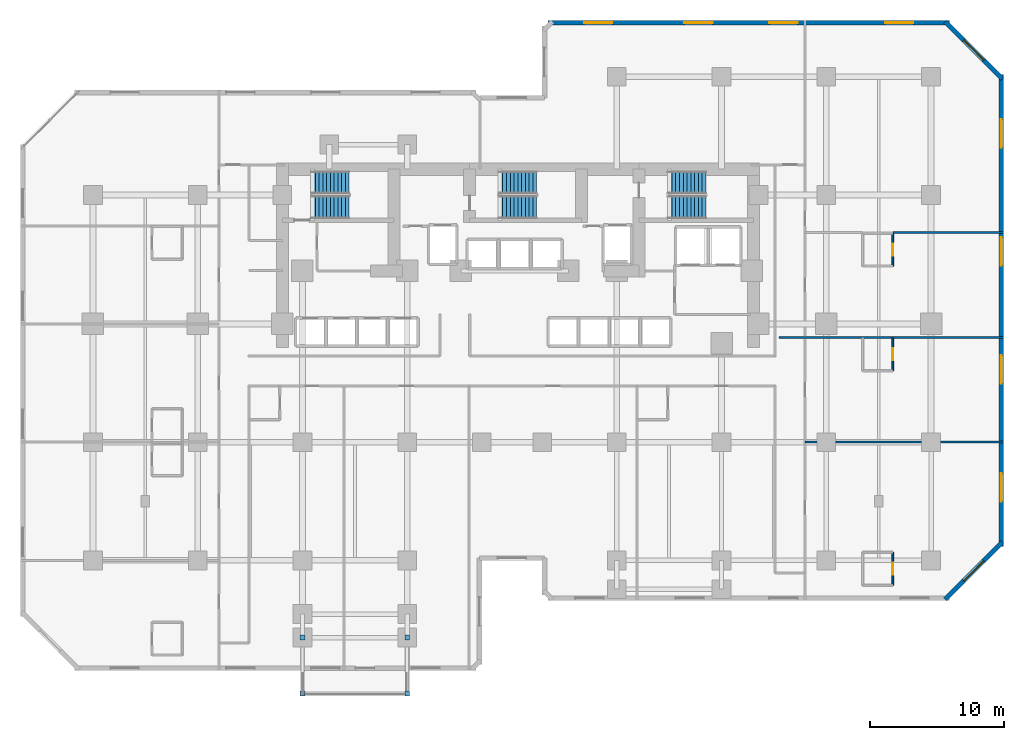
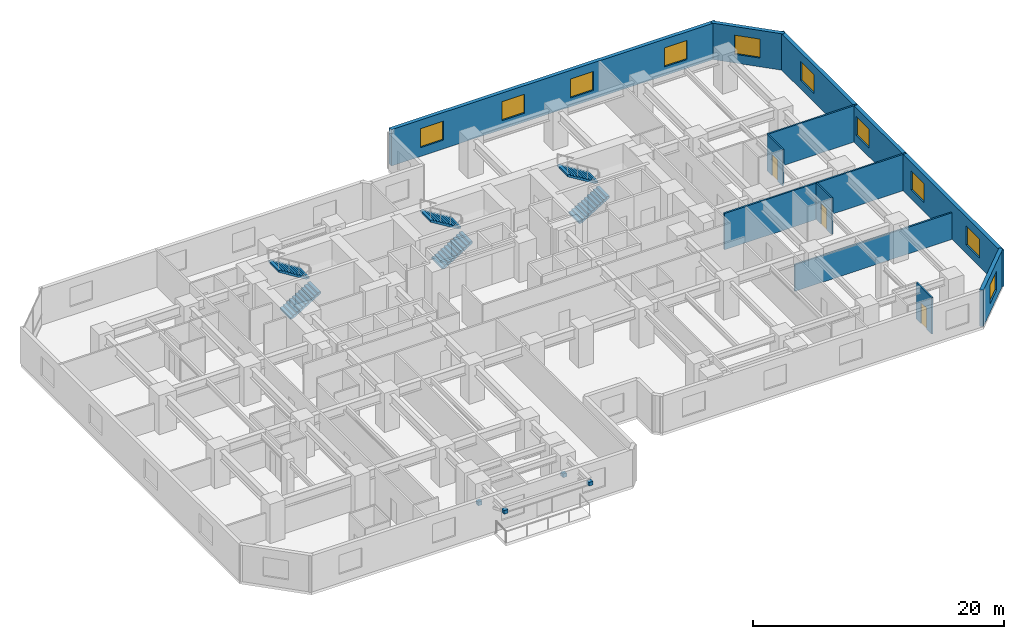
# One storey, part 9 of 11: 10 walls, 10 windows, 6 stair flights, 4 discrete accessories, 3 doors, 13 openings, 3 elements without a shape of their own.
"""IFC4 building model written with IfcOpenShell, lengths in metres."""

from ifc_helpers import new_model, si_unit, direction, frame, frame_2d, origin, origin_2d, place, context, subcontext, project, spatial, polyline, rectangle, outline, extrude, material, layer, layer_set, type_object, element, fill, aggregate, save


model = new_model("IFC4")

# Units and contexts
model_context = context("Model", 3, precision=1e-05, world=origin(), true_north=direction((0.0, 1.0)))
body_context = subcontext(model_context, "Body", "Model", "MODEL_VIEW")
ifc_project = project(units=[si_unit("LENGTHUNIT", "METRE"), si_unit("AREAUNIT", "SQUARE_METRE"), si_unit("VOLUMEUNIT", "CUBIC_METRE"), si_unit("PLANEANGLEUNIT", "RADIAN"), si_unit("MASSUNIT", "GRAM", prefix="KILO")], contexts=[model_context])

# Site, building, storey
site_placement = place(None, origin())
site = spatial("IfcSite", under=ifc_project, at=site_placement, CompositionType="ELEMENT")
building_placement = place(site_placement, origin())
building = spatial("IfcBuilding", under=site, at=building_placement, Name="Kestravale Grand Hotel", CompositionType="ELEMENT")
storey_placement = place(building_placement, frame((0.0, 0.0, 45.0)))
storey = spatial("IfcBuildingStorey", under=building, at=storey_placement, Name="L10", CompositionType="ELEMENT", Elevation=45.0)

# Wall, opening, window
ifc_material_1 = material(Name="Precast concrete f'c 45 MPa", Category="concrete")
ifc_layer_1 = layer(ifc_material_1, 0.340087890625)
ifc_layer_set_1 = layer_set([ifc_layer_1], Name="EW-PREC-340")
wall_type_1 = type_object("IfcWallType", Name="EW-PREC-340", PredefinedType="SOLIDWALL", material=ifc_layer_set_1)
wall_1_placement = place(storey_placement, frame((71.25146484375, 8.2919921875, 0.0), z_axis=(0.0, 0.0, 1.0), x_axis=(0.707106781187, 0.707106781187, 0.0)))
wall_1 = element("IfcWall", 1, at=wall_1_placement, inside=storey, type_object=wall_type_1, Name="L10 fluted precast facade wall 8", PredefinedType="SOLIDWALL", context=body_context, shape_type="SweptSolid", body=[
    extrude(rectangle(XDim=6.019775390625, YDim=0.340087890625, at=frame_2d((3.009765625, 0.0))), origin(), (0.0, 0.0, 1.0), 3.5400390625),
])
opening_1_placement = place(wall_1_placement, frame((1.9599609375, 0.0, 0.85009765625)))
opening_1 = element("IfcOpeningElement", 2, at=opening_1_placement, cuts=wall_1, Name="Opening W-GUEST-2100", PredefinedType="OPENING", context=body_context, shape_type="SweptSolid", body=[
    extrude(rectangle(XDim=2.10009765625, YDim=1.85009765625, at=frame_2d((1.050048828125, 0.925048828125))), frame((0.0, 0.179931640625, 0.0), z_axis=(0.0, -1.0, 0.0), x_axis=(1.0, 0.0, 0.0)), (0.0, 0.0, 1.0), 0.360107421875),
])
ifc_material_2 = material(Name="Insulated low-E double glazing in aluminium frame", Category="aluminium")
window_type = type_object("IfcWindowType", Name="W-GUEST-2100", PartitioningType="DOUBLE_PANEL_VERTICAL", PredefinedType="WINDOW", material=ifc_material_2)
window_1_placement = place(opening_1_placement, origin())
window_1 = element("IfcWindow", 3, at=window_1_placement, inside=storey, type_object=window_type, Name="L10 exterior window 8.1", OverallHeight=1.85009765625, OverallWidth=2.10009765625, PartitioningType="SINGLE_PANEL", PredefinedType="WINDOW", context=body_context, shape_type="SweptSolid", body=[
    extrude(rectangle(XDim=2.10009765625, YDim=1.85009765625, at=frame_2d((1.050048828125, 0.925048828125))), frame((0.0, 0.030029296875, 0.0), z_axis=(0.0, -1.0, 0.0), x_axis=(1.0, 0.0, 0.0)), (0.0, 0.0, 1.0), 0.06005859375),
])
fill(opening_1, window_1)

# Wall, openings, windows
wall_2_placement = place(storey_placement, frame((75.429931640625, 12.22998046875, 0.0), z_axis=(0.0, 0.0, 1.0), x_axis=(0.0, 1.0, 0.0)))
wall_2 = element("IfcWall", 4, at=wall_2_placement, inside=storey, type_object=wall_type_1, Name="L10 fluted precast facade wall 9", PredefinedType="SOLIDWALL", context=body_context, shape_type="SweptSolid", body=[
    extrude(rectangle(XDim=35.14013671875, YDim=0.340087890625, at=frame_2d((17.570068359375, 0.0))), origin(), (0.0, 0.0, 1.0), 3.5400390625),
])
opening_2_placement = place(wall_2_placement, frame((3.342529296875, 0.0, 0.85009765625)))
opening_2 = element("IfcOpeningElement", 5, at=opening_2_placement, cuts=wall_2, Name="Opening W-GUEST-2100", PredefinedType="OPENING", context=body_context, shape_type="SweptSolid", body=[
    extrude(rectangle(XDim=2.10009765625, YDim=1.85009765625, at=frame_2d((1.050048828125, 0.925048828125))), frame((0.0, 0.179931640625, 0.0), z_axis=(0.0, -1.0, 0.0), x_axis=(1.0, 0.0, 0.0)), (0.0, 0.0, 1.0), 0.360107421875),
])
opening_3_placement = place(wall_2_placement, frame((12.12744140625, 0.0, 0.85009765625)))
opening_3 = element("IfcOpeningElement", 6, at=opening_3_placement, cuts=wall_2, Name="Opening W-GUEST-2100", PredefinedType="OPENING", context=body_context, shape_type="SweptSolid", body=[
    extrude(rectangle(XDim=2.10009765625, YDim=1.85009765625, at=frame_2d((1.050048828125, 0.925048828125))), frame((0.0, 0.179931640625, 0.0), z_axis=(0.0, -1.0, 0.0), x_axis=(1.0, 0.0, 0.0)), (0.0, 0.0, 1.0), 0.360107421875),
])
opening_4_placement = place(wall_2_placement, frame((20.91259765625, 0.0, 0.85009765625)))
opening_4 = element("IfcOpeningElement", 7, at=opening_4_placement, cuts=wall_2, Name="Opening W-GUEST-2100", PredefinedType="OPENING", context=body_context, shape_type="SweptSolid", body=[
    extrude(rectangle(XDim=2.10009765625, YDim=1.85009765625, at=frame_2d((1.050048828125, 0.925048828125))), frame((0.0, 0.179931640625, 0.0), z_axis=(0.0, -1.0, 0.0), x_axis=(1.0, 0.0, 0.0)), (0.0, 0.0, 1.0), 0.360107421875),
])
opening_5_placement = place(wall_2_placement, frame((29.697509765625, 0.0, 0.85009765625)))
opening_5 = element("IfcOpeningElement", 8, at=opening_5_placement, cuts=wall_2, Name="Opening W-GUEST-2100", PredefinedType="OPENING", context=body_context, shape_type="SweptSolid", body=[
    extrude(rectangle(XDim=2.10009765625, YDim=1.85009765625, at=frame_2d((1.050048828125, 0.925048828125))), frame((0.0, 0.179931640625, 0.0), z_axis=(0.0, -1.0, 0.0), x_axis=(1.0, 0.0, 0.0)), (0.0, 0.0, 1.0), 0.360107421875),
])
window_2_placement = place(opening_2_placement, origin())
window_2 = element("IfcWindow", 9, at=window_2_placement, inside=storey, type_object=window_type, Name="L10 exterior window 9.1", OverallHeight=1.85009765625, OverallWidth=2.10009765625, PartitioningType="SINGLE_PANEL", PredefinedType="WINDOW", context=body_context, shape_type="SweptSolid", body=[
    extrude(rectangle(XDim=2.10009765625, YDim=1.85009765625, at=frame_2d((1.050048828125, 0.925048828125))), frame((0.0, 0.030029296875, 0.0), z_axis=(0.0, -1.0, 0.0), x_axis=(1.0, 0.0, 0.0)), (0.0, 0.0, 1.0), 0.06005859375),
])
fill(opening_2, window_2)
window_3_placement = place(opening_3_placement, origin())
window_3 = element("IfcWindow", 10, at=window_3_placement, inside=storey, type_object=window_type, Name="L10 exterior window 9.2", OverallHeight=1.85009765625, OverallWidth=2.10009765625, PartitioningType="SINGLE_PANEL", PredefinedType="WINDOW", context=body_context, shape_type="SweptSolid", body=[
    extrude(rectangle(XDim=2.10009765625, YDim=1.85009765625, at=frame_2d((1.050048828125, 0.925048828125))), frame((0.0, 0.030029296875, 0.0), z_axis=(0.0, -1.0, 0.0), x_axis=(1.0, 0.0, 0.0)), (0.0, 0.0, 1.0), 0.06005859375),
])
fill(opening_3, window_3)
window_4_placement = place(opening_4_placement, origin())
window_4 = element("IfcWindow", 11, at=window_4_placement, inside=storey, type_object=window_type, Name="L10 exterior window 9.3", OverallHeight=1.85009765625, OverallWidth=2.10009765625, PartitioningType="SINGLE_PANEL", PredefinedType="WINDOW", context=body_context, shape_type="SweptSolid", body=[
    extrude(rectangle(XDim=2.10009765625, YDim=1.85009765625, at=frame_2d((1.050048828125, 0.925048828125))), frame((0.0, 0.030029296875, 0.0), z_axis=(0.0, -1.0, 0.0), x_axis=(1.0, 0.0, 0.0)), (0.0, 0.0, 1.0), 0.06005859375),
])
fill(opening_4, window_4)
window_5_placement = place(opening_5_placement, origin())
window_5 = element("IfcWindow", 12, at=window_5_placement, inside=storey, type_object=window_type, Name="L10 exterior window 9.4", OverallHeight=1.85009765625, OverallWidth=2.10009765625, PartitioningType="SINGLE_PANEL", PredefinedType="WINDOW", context=body_context, shape_type="SweptSolid", body=[
    extrude(rectangle(XDim=2.10009765625, YDim=1.85009765625, at=frame_2d((1.050048828125, 0.925048828125))), frame((0.0, 0.030029296875, 0.0), z_axis=(0.0, -1.0, 0.0), x_axis=(1.0, 0.0, 0.0)), (0.0, 0.0, 1.0), 0.06005859375),
])
fill(opening_5, window_5)

# Wall, opening, window
wall_3_placement = place(storey_placement, frame((75.508056640625, 47.051513671875, 0.0), z_axis=(0.0, 0.0, 1.0), x_axis=(-0.707106781187, 0.707106781187, 0.0)))
wall_3 = element("IfcWall", 13, at=wall_3_placement, inside=storey, type_object=wall_type_1, Name="L10 fluted precast facade wall 10", PredefinedType="SOLIDWALL", context=body_context, shape_type="SweptSolid", body=[
    extrude(rectangle(XDim=6.019775390625, YDim=0.340087890625, at=frame_2d((3.009765625, 0.0))), origin(), (0.0, 0.0, 1.0), 3.5400390625),
])
opening_6_placement = place(wall_3_placement, frame((1.9599609375, 0.0, 0.85009765625)))
opening_6 = element("IfcOpeningElement", 14, at=opening_6_placement, cuts=wall_3, Name="Opening W-GUEST-2100", PredefinedType="OPENING", context=body_context, shape_type="SweptSolid", body=[
    extrude(rectangle(XDim=2.10009765625, YDim=1.85009765625, at=frame_2d((1.050048828125, 0.925048828125))), frame((0.0, 0.179931640625, 0.0), z_axis=(0.0, -1.0, 0.0), x_axis=(1.0, 0.0, 0.0)), (0.0, 0.0, 1.0), 0.360107421875),
])
window_6_placement = place(opening_6_placement, origin())
window_6 = element("IfcWindow", 15, at=window_6_placement, inside=storey, type_object=window_type, Name="L10 exterior window 10.1", OverallHeight=1.85009765625, OverallWidth=2.10009765625, PartitioningType="SINGLE_PANEL", PredefinedType="WINDOW", context=body_context, shape_type="SweptSolid", body=[
    extrude(rectangle(XDim=2.10009765625, YDim=1.85009765625, at=frame_2d((1.050048828125, 0.925048828125))), frame((0.0, 0.030029296875, 0.0), z_axis=(0.0, -1.0, 0.0), x_axis=(1.0, 0.0, 0.0)), (0.0, 0.0, 1.0), 0.06005859375),
])
fill(opening_6, window_6)

# Wall, openings, windows
wall_4_placement = place(storey_placement, frame((71.570068359375, 51.22998046875, 0.0), z_axis=(0.0, 0.0, 1.0), x_axis=(-1.0, 0.0, 0.0)))
wall_4 = element("IfcWall", 16, at=wall_4_placement, inside=storey, type_object=wall_type_1, Name="L10 fluted precast facade wall 11", PredefinedType="SOLIDWALL", context=body_context, shape_type="SweptSolid", body=[
    extrude(rectangle(XDim=29.89013671875, YDim=0.340087890625, at=frame_2d((14.945068359375, 0.0))), origin(), (0.0, 0.0, 1.0), 3.5400390625),
])
opening_7_placement = place(wall_4_placement, frame((2.686279296875, 0.0, 0.85009765625)))
opening_7 = element("IfcOpeningElement", 17, at=opening_7_placement, cuts=wall_4, Name="Opening W-GUEST-2100", PredefinedType="OPENING", context=body_context, shape_type="SweptSolid", body=[
    extrude(rectangle(XDim=2.10009765625, YDim=1.85009765625, at=frame_2d((1.050048828125, 0.925048828125))), frame((0.0, 0.179931640625, 0.0), z_axis=(0.0, -1.0, 0.0), x_axis=(1.0, 0.0, 0.0)), (0.0, 0.0, 1.0), 0.360107421875),
])
opening_8_placement = place(wall_4_placement, frame((11.30859375, 0.0, 0.85009765625)))
opening_8 = element("IfcOpeningElement", 18, at=opening_8_placement, cuts=wall_4, Name="Opening W-GUEST-2100", PredefinedType="OPENING", context=body_context, shape_type="SweptSolid", body=[
    extrude(rectangle(XDim=2.10009765625, YDim=1.85009765625, at=frame_2d((1.050048828125, 0.925048828125))), frame((0.0, 0.179931640625, 0.0), z_axis=(0.0, -1.0, 0.0), x_axis=(1.0, 0.0, 0.0)), (0.0, 0.0, 1.0), 0.360107421875),
])
opening_9_placement = place(wall_4_placement, frame((17.631103515625, 0.0, 0.85009765625)))
opening_9 = element("IfcOpeningElement", 19, at=opening_9_placement, cuts=wall_4, Name="Opening W-GUEST-2100", PredefinedType="OPENING", context=body_context, shape_type="SweptSolid", body=[
    extrude(rectangle(XDim=2.10009765625, YDim=1.85009765625, at=frame_2d((1.050048828125, 0.925048828125))), frame((0.0, 0.179931640625, 0.0), z_axis=(0.0, -1.0, 0.0), x_axis=(1.0, 0.0, 0.0)), (0.0, 0.0, 1.0), 0.360107421875),
])
opening_10_placement = place(wall_4_placement, frame((25.103759765625, 0.0, 0.85009765625)))
opening_10 = element("IfcOpeningElement", 20, at=opening_10_placement, cuts=wall_4, Name="Opening W-GUEST-2100", PredefinedType="OPENING", context=body_context, shape_type="SweptSolid", body=[
    extrude(rectangle(XDim=2.10009765625, YDim=1.85009765625, at=frame_2d((1.050048828125, 0.925048828125))), frame((0.0, 0.179931640625, 0.0), z_axis=(0.0, -1.0, 0.0), x_axis=(1.0, 0.0, 0.0)), (0.0, 0.0, 1.0), 0.360107421875),
])
window_7_placement = place(opening_7_placement, origin())
window_7 = element("IfcWindow", 21, at=window_7_placement, inside=storey, type_object=window_type, Name="L10 exterior window 11.1", OverallHeight=1.85009765625, OverallWidth=2.10009765625, PartitioningType="SINGLE_PANEL", PredefinedType="WINDOW", context=body_context, shape_type="SweptSolid", body=[
    extrude(rectangle(XDim=2.10009765625, YDim=1.85009765625, at=frame_2d((1.050048828125, 0.925048828125))), frame((0.0, 0.030029296875, 0.0), z_axis=(0.0, -1.0, 0.0), x_axis=(1.0, 0.0, 0.0)), (0.0, 0.0, 1.0), 0.06005859375),
])
fill(opening_7, window_7)
window_8_placement = place(opening_8_placement, origin())
window_8 = element("IfcWindow", 22, at=window_8_placement, inside=storey, type_object=window_type, Name="L10 exterior window 11.2", OverallHeight=1.85009765625, OverallWidth=2.10009765625, PartitioningType="SINGLE_PANEL", PredefinedType="WINDOW", context=body_context, shape_type="SweptSolid", body=[
    extrude(rectangle(XDim=2.10009765625, YDim=1.85009765625, at=frame_2d((1.050048828125, 0.925048828125))), frame((0.0, 0.030029296875, 0.0), z_axis=(0.0, -1.0, 0.0), x_axis=(1.0, 0.0, 0.0)), (0.0, 0.0, 1.0), 0.06005859375),
])
fill(opening_8, window_8)
window_9_placement = place(opening_9_placement, origin())
window_9 = element("IfcWindow", 23, at=window_9_placement, inside=storey, type_object=window_type, Name="L10 exterior window 11.3", OverallHeight=1.85009765625, OverallWidth=2.10009765625, PartitioningType="SINGLE_PANEL", PredefinedType="WINDOW", context=body_context, shape_type="SweptSolid", body=[
    extrude(rectangle(XDim=2.10009765625, YDim=1.85009765625, at=frame_2d((1.050048828125, 0.925048828125))), frame((0.0, 0.030029296875, 0.0), z_axis=(0.0, -1.0, 0.0), x_axis=(1.0, 0.0, 0.0)), (0.0, 0.0, 1.0), 0.06005859375),
])
fill(opening_9, window_9)
window_10_placement = place(opening_10_placement, origin())
window_10 = element("IfcWindow", 24, at=window_10_placement, inside=storey, type_object=window_type, Name="L10 exterior window 11.4", OverallHeight=1.85009765625, OverallWidth=2.10009765625, PartitioningType="SINGLE_PANEL", PredefinedType="WINDOW", context=body_context, shape_type="SweptSolid", body=[
    extrude(rectangle(XDim=2.10009765625, YDim=1.85009765625, at=frame_2d((1.050048828125, 0.925048828125))), frame((0.0, 0.030029296875, 0.0), z_axis=(0.0, -1.0, 0.0), x_axis=(1.0, 0.0, 0.0)), (0.0, 0.0, 1.0), 0.06005859375),
])
fill(opening_10, window_10)

# Wall, opening, door
ifc_material_3 = material(Name="Moisture-resistant tile-backer plumbing chase wall", Category="other")
ifc_layer_2 = layer(ifc_material_3, 0.139892578125)
ifc_layer_set_2 = layer_set([ifc_layer_2], Name="IW-PLB-140")
wall_type_2 = type_object("IfcWallType", Name="IW-PLB-140", PredefinedType="PLUMBINGWALL", material=ifc_layer_set_2)
wall_5_placement = place(storey_placement, frame((67.35009765625, 9.35009765625, 0.0), z_axis=(0.0, 0.0, 1.0), x_axis=(0.0, 1.0, 0.0)))
wall_5 = element("IfcWall", 25, at=wall_5_placement, inside=storey, type_object=wall_type_2, Name="W-L10-U07-BE", PredefinedType="PLUMBINGWALL", context=body_context, shape_type="SweptSolid", body=[
    extrude(rectangle(XDim=2.449951171875, YDim=0.139892578125, at=frame_2d((1.22509765625, 0.0))), origin(), (0.0, 0.0, 1.0), 3.5400390625),
])
opening_11_placement = place(wall_5_placement, frame((0.784912109375, 0.0, 0.0)))
opening_11 = element("IfcOpeningElement", 26, at=opening_11_placement, cuts=wall_5, Name="Opening D-BATH-880", PredefinedType="OPENING", context=body_context, shape_type="SweptSolid", body=[
    extrude(rectangle(XDim=0.8798828125, YDim=2.050048828125, at=frame_2d((0.43994140625, 1.02490234375))), frame((0.0, 0.079833984375, 0.0), z_axis=(0.0, -1.0, 0.0), x_axis=(1.0, 0.0, 0.0)), (0.0, 0.0, 1.0), 0.159912109375),
])
ifc_material_4 = material(Name="Moisture-sealed walnut en-suite bathroom door", Category="wood")
door_type = type_object("IfcDoorType", Name="D-BATH-880", OperationType="NOTDEFINED", PredefinedType="DOOR", material=ifc_material_4)
door_1_placement = place(opening_11_placement, origin())
door_1 = element("IfcDoor", 27, at=door_1_placement, inside=storey, type_object=door_type, Name="D-L10-U07-BATH", OperationType="SINGLE_SWING_LEFT", OverallHeight=2.050048828125, OverallWidth=0.8798828125, PredefinedType="DOOR", context=body_context, shape_type="SweptSolid", body=[
    extrude(rectangle(XDim=0.8798828125, YDim=2.050048828125, at=frame_2d((0.43994140625, 1.02490234375))), frame((0.0, 0.02490234375, 0.0), z_axis=(0.0, -1.0, 0.0), x_axis=(1.0, 0.0, 0.0)), (0.0, 0.0, 1.0), 0.050048828125),
])
fill(opening_11, door_1)

wall_6_placement = place(storey_placement, frame((67.35009765625, 25.31005859375, 0.0), z_axis=(0.0, 0.0, 1.0), x_axis=(0.0, 1.0, 0.0)))
wall_6 = element("IfcWall", 28, at=wall_6_placement, inside=storey, type_object=wall_type_2, Name="W-L10-U08-BE", PredefinedType="PLUMBINGWALL", context=body_context, shape_type="SweptSolid", body=[
    extrude(rectangle(XDim=2.449951171875, YDim=0.139892578125, at=frame_2d((1.22509765625, 0.0))), origin(), (0.0, 0.0, 1.0), 3.5400390625),
])
opening_12_placement = place(wall_6_placement, frame((0.784912109375, 0.0, 0.0)))
opening_12 = element("IfcOpeningElement", 29, at=opening_12_placement, cuts=wall_6, Name="Opening D-BATH-880", PredefinedType="OPENING", context=body_context, shape_type="SweptSolid", body=[
    extrude(rectangle(XDim=0.8798828125, YDim=2.050048828125, at=frame_2d((0.43994140625, 1.02490234375))), frame((0.0, 0.079833984375, 0.0), z_axis=(0.0, -1.0, 0.0), x_axis=(1.0, 0.0, 0.0)), (0.0, 0.0, 1.0), 0.159912109375),
])
door_2_placement = place(opening_12_placement, origin())
door_2 = element("IfcDoor", 30, at=door_2_placement, inside=storey, type_object=door_type, Name="D-L10-U08-BATH", OperationType="SINGLE_SWING_LEFT", OverallHeight=2.050048828125, OverallWidth=0.8798828125, PredefinedType="DOOR", context=body_context, shape_type="SweptSolid", body=[
    extrude(rectangle(XDim=0.8798828125, YDim=2.050048828125, at=frame_2d((0.43994140625, 1.02490234375))), frame((0.0, 0.02490234375, 0.0), z_axis=(0.0, -1.0, 0.0), x_axis=(1.0, 0.0, 0.0)), (0.0, 0.0, 1.0), 0.050048828125),
])
fill(opening_12, door_2)

wall_7_placement = place(storey_placement, frame((67.35009765625, 33.110107421875, 0.0), z_axis=(0.0, 0.0, 1.0), x_axis=(0.0, 1.0, 0.0)))
wall_7 = element("IfcWall", 31, at=wall_7_placement, inside=storey, type_object=wall_type_2, Name="W-L10-U09-BE", PredefinedType="PLUMBINGWALL", context=body_context, shape_type="SweptSolid", body=[
    extrude(rectangle(XDim=2.449951171875, YDim=0.139892578125, at=frame_2d((1.22509765625, 0.0))), origin(), (0.0, 0.0, 1.0), 3.5400390625),
])
opening_13_placement = place(wall_7_placement, frame((0.784912109375, 0.0, 0.0)))
opening_13 = element("IfcOpeningElement", 32, at=opening_13_placement, cuts=wall_7, Name="Opening D-BATH-880", PredefinedType="OPENING", context=body_context, shape_type="SweptSolid", body=[
    extrude(rectangle(XDim=0.8798828125, YDim=2.050048828125, at=frame_2d((0.43994140625, 1.02490234375))), frame((0.0, 0.079833984375, 0.0), z_axis=(0.0, -1.0, 0.0), x_axis=(1.0, 0.0, 0.0)), (0.0, 0.0, 1.0), 0.159912109375),
])
door_3_placement = place(opening_13_placement, origin())
door_3 = element("IfcDoor", 33, at=door_3_placement, inside=storey, type_object=door_type, Name="D-L10-U09-BATH", OperationType="SINGLE_SWING_LEFT", OverallHeight=2.050048828125, OverallWidth=0.8798828125, PredefinedType="DOOR", context=body_context, shape_type="SweptSolid", body=[
    extrude(rectangle(XDim=0.8798828125, YDim=2.050048828125, at=frame_2d((0.43994140625, 1.02490234375))), frame((0.0, 0.02490234375, 0.0), z_axis=(0.0, -1.0, 0.0), x_axis=(1.0, 0.0, 0.0)), (0.0, 0.0, 1.0), 0.050048828125),
])
fill(opening_13, door_3)

# Walls
ifc_material_5 = material(Name="Double-stud STC 52 acoustic demising partition", Category="other")
ifc_layer_3 = layer(ifc_material_5, 0.14990234375)
ifc_layer_set_3 = layer_set([ifc_layer_3], Name="IW-UNIT-150")
wall_type_3 = type_object("IfcWallType", Name="IW-UNIT-150", PredefinedType="PARTITIONING", material=ifc_layer_set_3)
wall_8_placement = place(storey_placement, frame((60.81005859375, 20.0, 0.0), z_axis=(0.0, 0.0, 1.0), x_axis=(1.0, 0.0, 0.0)))
element("IfcWall", 34, at=wall_8_placement, inside=storey, type_object=wall_type_3, Name="W-L10-EW-1", PredefinedType="PARTITIONING", context=body_context, shape_type="SweptSolid", body=[
    extrude(rectangle(XDim=14.77001953125, YDim=0.14990234375, at=frame_2d((7.385009765625, 0.0))), origin(), (0.0, 0.0, 1.0), 2.593017578125),
])
wall_9_placement = place(storey_placement, frame((58.860107421875, 27.800048828125, 0.0), z_axis=(0.0, 0.0, 1.0), x_axis=(1.0, 0.0, 0.0)))
element("IfcWall", 35, at=wall_9_placement, inside=storey, type_object=wall_type_3, Name="W-L10-ASPL-8", PredefinedType="PARTITIONING", context=body_context, shape_type="SweptSolid", body=[
    extrude(rectangle(XDim=16.719970703125, YDim=0.14990234375, at=frame_2d((8.35986328125, 0.0))), origin(), (0.0, 0.0, 1.0), 3.5400390625),
])
wall_10_placement = place(storey_placement, frame((67.35009765625, 35.60009765625, 0.0), z_axis=(0.0, 0.0, 1.0), x_axis=(1.0, 0.0, 0.0)))
element("IfcWall", 36, at=wall_10_placement, inside=storey, type_object=wall_type_3, Name="W-L10-EW-2", PredefinedType="PARTITIONING", context=body_context, shape_type="SweptSolid", body=[
    extrude(rectangle(XDim=8.22998046875, YDim=0.14990234375, at=frame_2d((4.114990234375, 0.0))), origin(), (0.0, 0.0, 1.0), 3.5400390625),
])

# Stair, stair flights
ifc_material_6 = material(Name="Concrete f'c 45 MPa", Category="concrete")
stair_type = type_object("IfcStairType", Name="ST-CORE-380", PredefinedType="HALF_TURN_STAIR", material=ifc_material_6)
stair_1_placement = place(storey_placement, origin())
stair_1 = element("IfcStair", 37, at=stair_1_placement, inside=storey, type_object=stair_type, Name="L10 ST-1", PredefinedType="HALF_TURN_STAIR")
ifc_material_7 = material(Name="Concrete f'c 45 MPa", Category="concrete")
stair_flight_type = type_object("IfcStairFlightType", Name="STF-CORE-380", PredefinedType="STRAIGHT", material=ifc_material_7)
stair_flight_1_placement = place(storey_placement, frame((24.080078125, 37.489990234375, 0.0), z_axis=(0.0, 0.0, 1.0), x_axis=(1.0, 0.0, 0.0)))
stair_flight_1 = element("IfcStairFlight", 38, at=stair_flight_1_placement, type_object=stair_flight_type, Name="ST-1 flight 1", NumberOfRisers=11, NumberOfTreads=10, PredefinedType="STRAIGHT", RiserHeight=0.172727273, TreadLength=0.28, context=body_context, shape_type="SweptSolid", body=[
    extrude(outline(polyline([(0.0, 0.0), (0.0, 0.172607421875), (0.280029296875, 0.172607421875), (0.280029296875, 0.345458984375), (0.56005859375, 0.345458984375), (0.56005859375, 0.51806640625), (0.840087890625, 0.51806640625), (0.840087890625, 0.69091796875), (1.1201171875, 0.69091796875), (1.1201171875, 0.863525390625), (1.39990234375, 0.863525390625), (1.39990234375, 1.036376953125), (1.679931640625, 1.036376953125), (1.679931640625, 1.208984375), (1.9599609375, 1.208984375), (1.9599609375, 1.3818359375), (2.239990234375, 1.3818359375), (2.239990234375, 1.554443359375), (2.52001953125, 1.554443359375), (2.52001953125, 1.727294921875), (2.800048828125, 1.727294921875), (2.800048828125, 1.89990234375), (2.800048828125, 1.551025390625), (0.285400390625, 0.0), (0.0, 0.0)])), frame((0.0, 0.83984375, 0.0), z_axis=(0.0, -1.0, 0.0), x_axis=(1.0, 0.0, 0.0)), (0.0, 0.0, 1.0), 1.679931640625),
])
stair_flight_2_placement = place(storey_placement, frame((26.8798828125, 39.320068359375, 1.89990234375), z_axis=(0.0, 0.0, 1.0), x_axis=(-1.0, 0.0, 0.0)))
stair_flight_2 = element("IfcStairFlight", 39, at=stair_flight_2_placement, type_object=stair_flight_type, Name="ST-1 flight 2", NumberOfRisers=11, NumberOfTreads=10, PredefinedType="STRAIGHT", RiserHeight=0.172727273, TreadLength=0.28, context=body_context, shape_type="SweptSolid", body=[
    extrude(outline(polyline([(0.0, 0.0), (0.0, 0.172607421875), (0.280029296875, 0.172607421875), (0.280029296875, 0.345458984375), (0.56005859375, 0.345458984375), (0.56005859375, 0.51806640625), (0.840087890625, 0.51806640625), (0.840087890625, 0.69091796875), (1.1201171875, 0.69091796875), (1.1201171875, 0.863525390625), (1.39990234375, 0.863525390625), (1.39990234375, 1.036376953125), (1.679931640625, 1.036376953125), (1.679931640625, 1.208984375), (1.9599609375, 1.208984375), (1.9599609375, 1.3818359375), (2.239990234375, 1.3818359375), (2.239990234375, 1.554443359375), (2.52001953125, 1.554443359375), (2.52001953125, 1.727294921875), (2.800048828125, 1.727294921875), (2.800048828125, 1.89990234375), (2.800048828125, 1.551025390625), (0.285400390625, 0.0), (0.0, 0.0)])), frame((0.0, 0.83984375, 0.0), z_axis=(0.0, -1.0, 0.0), x_axis=(1.0, 0.0, 0.0)), (0.0, 0.0, 1.0), 1.679931640625),
])
aggregate(stair_1, [stair_flight_1, stair_flight_2])

stair_2_placement = place(storey_placement, origin())
stair_2 = element("IfcStair", 40, at=stair_2_placement, inside=storey, type_object=stair_type, Name="L10 ST-2", PredefinedType="HALF_TURN_STAIR")
stair_flight_3_placement = place(storey_placement, frame((38.030029296875, 37.489990234375, 0.0), z_axis=(0.0, 0.0, 1.0), x_axis=(1.0, 0.0, 0.0)))
stair_flight_3 = element("IfcStairFlight", 41, at=stair_flight_3_placement, type_object=stair_flight_type, Name="ST-2 flight 1", NumberOfRisers=11, NumberOfTreads=10, PredefinedType="STRAIGHT", RiserHeight=0.172727273, TreadLength=0.28, context=body_context, shape_type="SweptSolid", body=[
    extrude(outline(polyline([(0.0, 0.0), (0.0, 0.172607421875), (0.280029296875, 0.172607421875), (0.280029296875, 0.345458984375), (0.56005859375, 0.345458984375), (0.56005859375, 0.51806640625), (0.840087890625, 0.51806640625), (0.840087890625, 0.69091796875), (1.1201171875, 0.69091796875), (1.1201171875, 0.863525390625), (1.39990234375, 0.863525390625), (1.39990234375, 1.036376953125), (1.679931640625, 1.036376953125), (1.679931640625, 1.208984375), (1.9599609375, 1.208984375), (1.9599609375, 1.3818359375), (2.239990234375, 1.3818359375), (2.239990234375, 1.554443359375), (2.52001953125, 1.554443359375), (2.52001953125, 1.727294921875), (2.800048828125, 1.727294921875), (2.800048828125, 1.89990234375), (2.800048828125, 1.551025390625), (0.285400390625, 0.0), (0.0, 0.0)])), frame((0.0, 0.83984375, 0.0), z_axis=(0.0, -1.0, 0.0), x_axis=(1.0, 0.0, 0.0)), (0.0, 0.0, 1.0), 1.679931640625),
])
stair_flight_4_placement = place(storey_placement, frame((40.830078125, 39.320068359375, 1.89990234375), z_axis=(0.0, 0.0, 1.0), x_axis=(-1.0, 0.0, 0.0)))
stair_flight_4 = element("IfcStairFlight", 42, at=stair_flight_4_placement, type_object=stair_flight_type, Name="ST-2 flight 2", NumberOfRisers=11, NumberOfTreads=10, PredefinedType="STRAIGHT", RiserHeight=0.172727273, TreadLength=0.28, context=body_context, shape_type="SweptSolid", body=[
    extrude(outline(polyline([(0.0, 0.0), (0.0, 0.172607421875), (0.280029296875, 0.172607421875), (0.280029296875, 0.345458984375), (0.56005859375, 0.345458984375), (0.56005859375, 0.51806640625), (0.840087890625, 0.51806640625), (0.840087890625, 0.69091796875), (1.1201171875, 0.69091796875), (1.1201171875, 0.863525390625), (1.39990234375, 0.863525390625), (1.39990234375, 1.036376953125), (1.679931640625, 1.036376953125), (1.679931640625, 1.208984375), (1.9599609375, 1.208984375), (1.9599609375, 1.3818359375), (2.239990234375, 1.3818359375), (2.239990234375, 1.554443359375), (2.52001953125, 1.554443359375), (2.52001953125, 1.727294921875), (2.800048828125, 1.727294921875), (2.800048828125, 1.89990234375), (2.800048828125, 1.551025390625), (0.285400390625, 0.0), (0.0, 0.0)])), frame((0.0, 0.83984375, 0.0), z_axis=(0.0, -1.0, 0.0), x_axis=(1.0, 0.0, 0.0)), (0.0, 0.0, 1.0), 1.679931640625),
])
aggregate(stair_2, [stair_flight_3, stair_flight_4])

stair_3_placement = place(storey_placement, origin())
stair_3 = element("IfcStair", 43, at=stair_3_placement, inside=storey, type_object=stair_type, Name="L10 ST-3", PredefinedType="HALF_TURN_STAIR")
stair_flight_5_placement = place(storey_placement, frame((50.6298828125, 37.489990234375, 0.0), z_axis=(0.0, 0.0, 1.0), x_axis=(1.0, 0.0, 0.0)))
stair_flight_5 = element("IfcStairFlight", 44, at=stair_flight_5_placement, type_object=stair_flight_type, Name="ST-3 flight 1", NumberOfRisers=11, NumberOfTreads=10, PredefinedType="STRAIGHT", RiserHeight=0.172727273, TreadLength=0.28, context=body_context, shape_type="SweptSolid", body=[
    extrude(outline(polyline([(0.0, 0.0), (0.0, 0.172607421875), (0.280029296875, 0.172607421875), (0.280029296875, 0.345458984375), (0.56005859375, 0.345458984375), (0.56005859375, 0.51806640625), (0.840087890625, 0.51806640625), (0.840087890625, 0.69091796875), (1.1201171875, 0.69091796875), (1.1201171875, 0.863525390625), (1.39990234375, 0.863525390625), (1.39990234375, 1.036376953125), (1.679931640625, 1.036376953125), (1.679931640625, 1.208984375), (1.9599609375, 1.208984375), (1.9599609375, 1.3818359375), (2.239990234375, 1.3818359375), (2.239990234375, 1.554443359375), (2.52001953125, 1.554443359375), (2.52001953125, 1.727294921875), (2.800048828125, 1.727294921875), (2.800048828125, 1.89990234375), (2.800048828125, 1.551025390625), (0.285400390625, 0.0), (0.0, 0.0)])), frame((0.0, 0.83984375, 0.0), z_axis=(0.0, -1.0, 0.0), x_axis=(1.0, 0.0, 0.0)), (0.0, 0.0, 1.0), 1.679931640625),
])
stair_flight_6_placement = place(storey_placement, frame((53.429931640625, 39.320068359375, 1.89990234375), z_axis=(0.0, 0.0, 1.0), x_axis=(-1.0, 0.0, 0.0)))
stair_flight_6 = element("IfcStairFlight", 45, at=stair_flight_6_placement, type_object=stair_flight_type, Name="ST-3 flight 2", NumberOfRisers=11, NumberOfTreads=10, PredefinedType="STRAIGHT", RiserHeight=0.172727273, TreadLength=0.28, context=body_context, shape_type="SweptSolid", body=[
    extrude(outline(polyline([(0.0, 0.0), (0.0, 0.172607421875), (0.280029296875, 0.172607421875), (0.280029296875, 0.345458984375), (0.56005859375, 0.345458984375), (0.56005859375, 0.51806640625), (0.840087890625, 0.51806640625), (0.840087890625, 0.69091796875), (1.1201171875, 0.69091796875), (1.1201171875, 0.863525390625), (1.39990234375, 0.863525390625), (1.39990234375, 1.036376953125), (1.679931640625, 1.036376953125), (1.679931640625, 1.208984375), (1.9599609375, 1.208984375), (1.9599609375, 1.3818359375), (2.239990234375, 1.3818359375), (2.239990234375, 1.554443359375), (2.52001953125, 1.554443359375), (2.52001953125, 1.727294921875), (2.800048828125, 1.727294921875), (2.800048828125, 1.89990234375), (2.800048828125, 1.551025390625), (0.285400390625, 0.0), (0.0, 0.0)])), frame((0.0, 0.83984375, 0.0), z_axis=(0.0, -1.0, 0.0), x_axis=(1.0, 0.0, 0.0)), (0.0, 0.0, 1.0), 1.679931640625),
])
aggregate(stair_3, [stair_flight_5, stair_flight_6])

# Discrete accessories
ifc_material_8 = material(Name="Steel ASTM A572 Grade 50 hot-dip galvanised bracket", Category="steel")
discrete_accessory_type = type_object("IfcDiscreteAccessoryType", Name="ACC-BRK-STL", PredefinedType="BRACKET", material=ifc_material_8)
for number, where, z_axis, x_axis, name in (
    (46, (23.39990234375, 5.449951171875, 1.19384765625), (0.0, 0.0, 1.0), (1.0, 0.0, 0.0), "L11 terrace strut column bracket 1"),
    (47, (23.39990234375, 1.300048828125, 2.89404296875), (0.0, 0.0, 1.0), (1.0, 0.0, 0.0), "L11 terrace strut beam bracket 1"),
    (48, (31.199951171875, 5.449951171875, 1.19384765625), (0.0, 0.0, 1.0), (1.0, 0.0, 0.0), "L11 terrace strut column bracket 2"),
    (49, (31.199951171875, 1.300048828125, 2.89404296875), (0.0, 0.0, 1.0), (1.0, 0.0, 0.0), "L11 terrace strut beam bracket 2"),
):
    element("IfcDiscreteAccessory", number, at=place(storey_placement, frame(where, z_axis=z_axis, x_axis=x_axis)), inside=storey, type_object=discrete_accessory_type, Name=name, PredefinedType="BRACKET", context=body_context, shape_type="SweptSolid", body=[
        extrude(rectangle(XDim=0.360107421875, YDim=0.360107421875, at=origin_2d()), origin(), (0.0, 0.0, 1.0), 0.360107421875),
    ])

save(model, "model.ifc")
